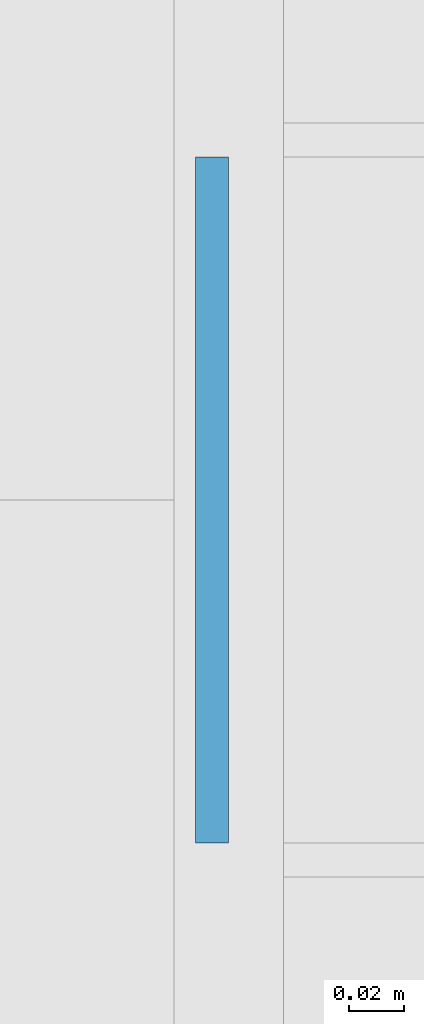
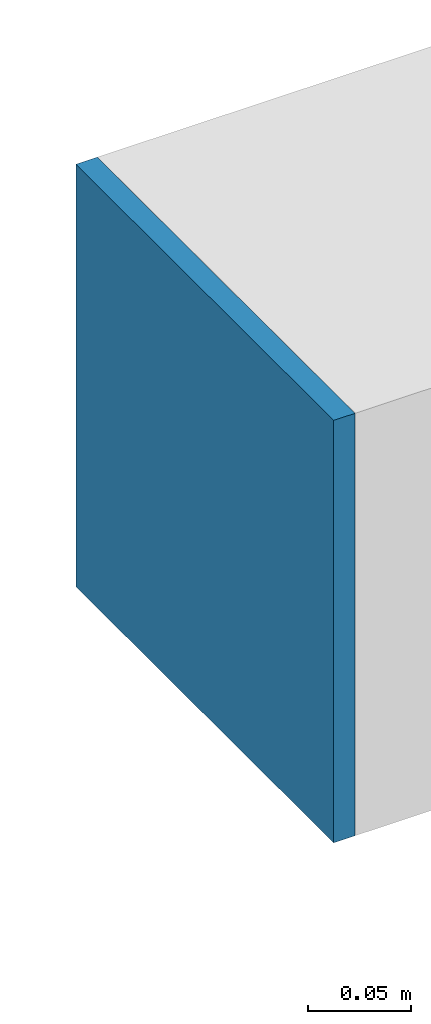
# One storey, part 46 of 58: 1 plate.
"""IFC4 building model written with IfcOpenShell, lengths in metres."""

from ifc_helpers import new_model, si_unit, direction, frame, origin, origin_2d, place, context, subcontext, project, spatial, rectangle, extrude, source, transform, mapped, material, layer, layer_set, type_object, element, save


model = new_model("IFC4")

# Units and contexts
model_context = context("Model", 3, precision=1e-05, world=origin(), true_north=direction((0.0, 1.0)))
body_context = subcontext(model_context, "Body", "Model", "MODEL_VIEW")
ifc_project = project(units=[si_unit("LENGTHUNIT", "METRE"), si_unit("AREAUNIT", "SQUARE_METRE"), si_unit("VOLUMEUNIT", "CUBIC_METRE"), si_unit("PLANEANGLEUNIT", "RADIAN"), si_unit("MASSUNIT", "GRAM", prefix="KILO")], contexts=[model_context])

# Site, building, storey
site_placement = place(None, origin())
site = spatial("IfcSite", under=ifc_project, at=site_placement, CompositionType="ELEMENT")
building_placement = place(site_placement, origin())
building = spatial("IfcBuilding", under=site, at=building_placement, Name="Taldren Reach Tower", CompositionType="ELEMENT")
storey_placement = place(building_placement, frame((0.0, 0.0, 35.699951171875)))
storey = spatial("IfcBuildingStorey", under=building, at=storey_placement, Name="L10", CompositionType="ELEMENT", Elevation=35.699951171875)

# Plate
ifc_material = material(Name="Steel Gr 350 (C350L0)", Category="steel")
ifc_layer = layer(ifc_material, 0.011962890625)
ifc_layer_set = layer_set([ifc_layer], Name="Steel Gr 350 (C350L0)")
plate_type = type_object("IfcPlateType", Name="PL-CAP-250", PredefinedType="SHEET", material=ifc_layer_set)
shared_shape = source(origin(), body_context, "Body", "SweptSolid", [
    extrude(rectangle(XDim=0.011962890625, YDim=0.25, at=origin_2d()), origin(), (0.0, 0.0, 1.0), 0.25),
])
plate_placement = place(storey_placement, frame((4.093994140625, 20.0, 0.094970703125), z_axis=(0.0, 0.0, 1.0), x_axis=(1.0, 0.0, 0.0)))
element("IfcPlate", 1, at=plate_placement, inside=storey, type_object=plate_type, Name="Tie strut end cap plate B1-W2 L10", PredefinedType="SHEET", context=body_context, shape_type="MappedRepresentation", body=[
    mapped(shared_shape, transform((0.0, 0.0, 0.0), scale=1.0)),
])

save(model, "model.ifc")
